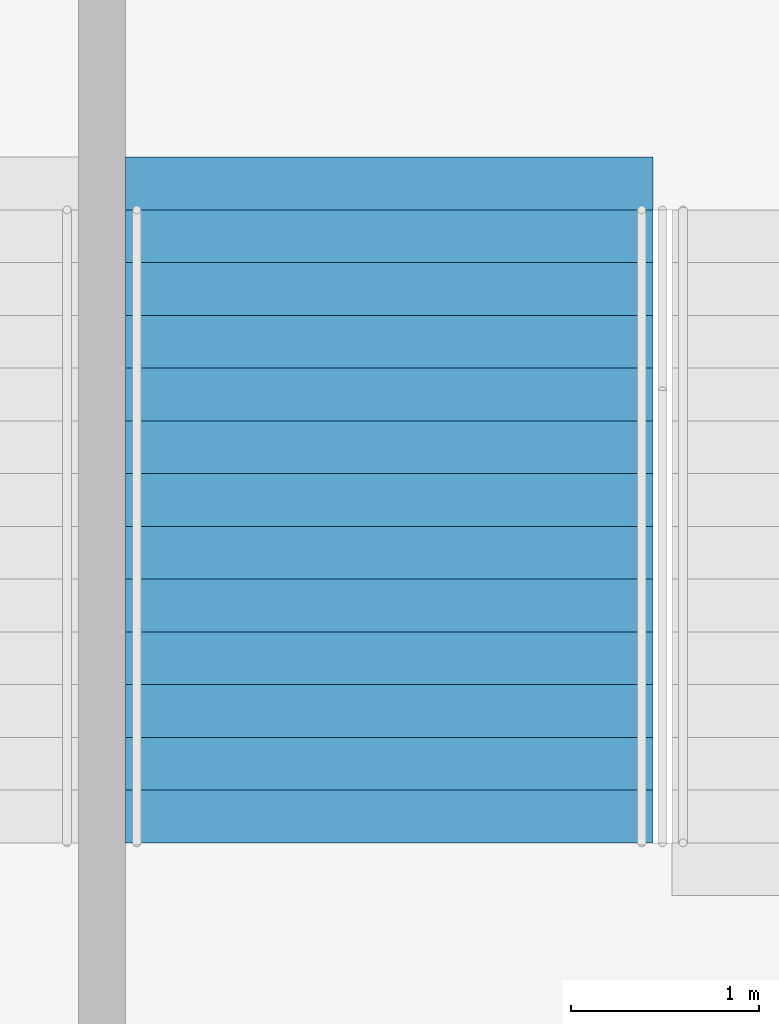
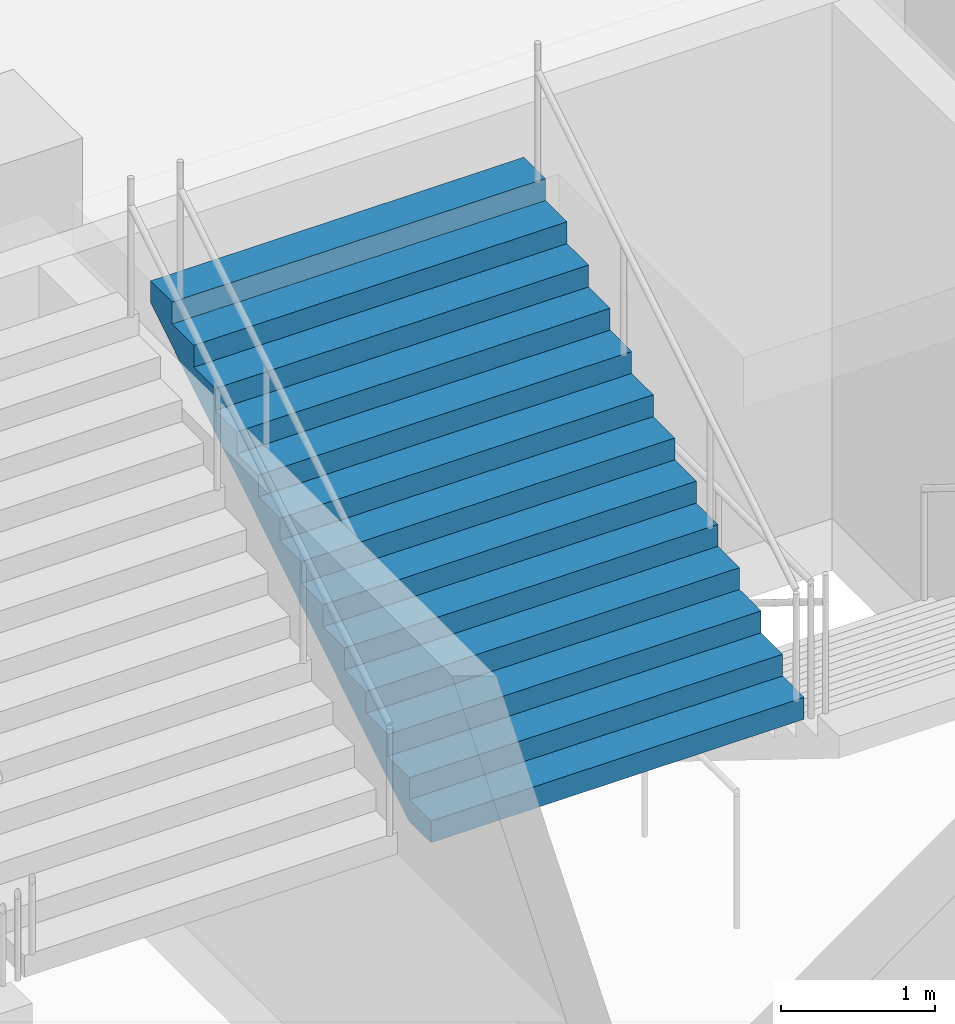
# One storey, part 70 of 175: 1 stair flight, 1 element without a shape of its own.
"""IFC4 building model written with IfcOpenShell, lengths in metres."""

from ifc_helpers import new_model, si_unit, direction, frame, origin, place, context, subcontext, project, spatial, faceted_brep, material, type_object, element, aggregate, save


model = new_model("IFC4")

# Units and contexts
model_context = context("Model", 3, precision=1e-05, world=origin(), true_north=direction((0.0, 1.0)))
body_context = subcontext(model_context, "Body", "Model", "MODEL_VIEW")
ifc_project = project(units=[si_unit("LENGTHUNIT", "METRE"), si_unit("AREAUNIT", "SQUARE_METRE"), si_unit("VOLUMEUNIT", "CUBIC_METRE"), si_unit("PLANEANGLEUNIT", "RADIAN"), si_unit("MASSUNIT", "GRAM", prefix="KILO")], contexts=[model_context])

# Site, building, storey
site_placement = place(None, origin())
site = spatial("IfcSite", under=ifc_project, at=site_placement, CompositionType="ELEMENT")
building_placement = place(site_placement, origin())
building = spatial("IfcBuilding", under=site, at=building_placement, Name="Ogive Plaza Stadium", CompositionType="ELEMENT")
storey_placement = place(building_placement, origin())
storey = spatial("IfcBuildingStorey", under=building, at=storey_placement, Name="L00", CompositionType="ELEMENT", Elevation=0.0)

# Stair, stair flight
ifc_material_1 = material(Name="Concrete C40/50", Category="concrete")
stair_type = type_object("IfcStairType", Name="Exit stair", PredefinedType="STRAIGHT_RUN_STAIR", material=ifc_material_1)
stair_placement = place(storey_placement, origin())
stair = element("IfcStair", 1, at=stair_placement, inside=storey, type_object=stair_type, Name="Exit stair ST12B L00 to L01", PredefinedType="STRAIGHT_RUN_STAIR")
ifc_material_2 = material(Name="Concrete C40/50", Category="concrete")
stair_flight_type = type_object("IfcStairFlightType", Name="Exit stair flight", PredefinedType="STRAIGHT", material=ifc_material_2)
stair_flight_placement = place(storey_placement, frame((35.52490234375, -98.2099609375, 2.25), z_axis=(0.0, 0.0, 1.0), x_axis=(0.0, 1.0, 0.0)))
stair_flight = element("IfcStairFlight", 2, at=stair_flight_placement, type_object=stair_flight_type, Name="ST12B flight 2", NumberOfRisers=13, NumberOfTreads=12, PredefinedType="STRAIGHT", RiserHeight=0.173076923, TreadLength=0.28, context=body_context, shape_type="Brep", body=[
    faceted_brep([(0.28515625, -1.39990234375, 0.0), (3.639892578125, -1.39990234375, 2.07373046875), (3.639892578125, -1.39990234375, 2.25), (3.360107421875, -1.39990234375, 2.25), (3.360107421875, -1.39990234375, 2.076904296875), (3.080078125, -1.39990234375, 2.076904296875), (3.080078125, -1.39990234375, 1.90380859375), (2.800048828125, -1.39990234375, 1.90380859375), (2.800048828125, -1.39990234375, 1.730712890625), (2.52001953125, -1.39990234375, 1.730712890625), (2.52001953125, -1.39990234375, 1.5576171875), (2.239990234375, -1.39990234375, 1.5576171875), (2.239990234375, -1.39990234375, 1.384521484375), (1.9599609375, -1.39990234375, 1.384521484375), (1.9599609375, -1.39990234375, 1.21142578125), (1.679931640625, -1.39990234375, 1.21142578125), (1.679931640625, -1.39990234375, 1.03857421875), (1.39990234375, -1.39990234375, 1.03857421875), (1.39990234375, -1.39990234375, 0.865478515625), (1.1201171875, -1.39990234375, 0.865478515625), (1.1201171875, -1.39990234375, 0.6923828125), (0.840087890625, -1.39990234375, 0.6923828125), (0.840087890625, -1.39990234375, 0.519287109375), (0.56005859375, -1.39990234375, 0.519287109375), (0.56005859375, -1.39990234375, 0.34619140625), (0.280029296875, -1.39990234375, 0.34619140625), (0.280029296875, -1.39990234375, 0.173095703125), (0.0, -1.39990234375, 0.173095703125), (0.0, -1.39990234375, 0.0), (0.0, 1.39990234375, 0.0), (0.0, 1.39990234375, 0.173095703125), (0.280029296875, 1.39990234375, 0.173095703125), (0.280029296875, 1.39990234375, 0.34619140625), (0.56005859375, 1.39990234375, 0.34619140625), (0.56005859375, 1.39990234375, 0.519287109375), (0.840087890625, 1.39990234375, 0.519287109375), (0.840087890625, 1.39990234375, 0.6923828125), (1.1201171875, 1.39990234375, 0.6923828125), (1.1201171875, 1.39990234375, 0.865478515625), (1.39990234375, 1.39990234375, 0.865478515625), (1.39990234375, 1.39990234375, 1.03857421875), (1.679931640625, 1.39990234375, 1.03857421875), (1.679931640625, 1.39990234375, 1.21142578125), (1.9599609375, 1.39990234375, 1.21142578125), (1.9599609375, 1.39990234375, 1.384521484375), (2.239990234375, 1.39990234375, 1.384521484375), (2.239990234375, 1.39990234375, 1.5576171875), (2.52001953125, 1.39990234375, 1.5576171875), (2.52001953125, 1.39990234375, 1.730712890625), (2.800048828125, 1.39990234375, 1.730712890625), (2.800048828125, 1.39990234375, 1.90380859375), (3.080078125, 1.39990234375, 1.90380859375), (3.080078125, 1.39990234375, 2.076904296875), (3.360107421875, 1.39990234375, 2.076904296875), (3.360107421875, 1.39990234375, 2.25), (3.639892578125, 1.39990234375, 2.25), (3.639892578125, 1.39990234375, 2.07373046875), (0.28515625, 1.39990234375, 0.0), (0.28515625, -1.0888671875, 0.0), (3.639892578125, -1.0888671875, 2.07373046875), (0.28515625, -0.77783203125, 0.0), (3.639892578125, -0.77783203125, 2.07373046875), (0.28515625, -0.466796875, 0.0), (3.639892578125, -0.466796875, 2.07373046875), (0.28515625, -0.155517578125, 0.0), (3.639892578125, -0.155517578125, 2.07373046875), (0.28515625, 0.155517578125, 0.0), (3.639892578125, 0.155517578125, 2.07373046875), (0.28515625, 0.466796875, 0.0), (3.639892578125, 0.466796875, 2.07373046875), (0.28515625, 0.77783203125, 0.0), (3.639892578125, 0.77783203125, 2.07373046875), (0.28515625, 1.0888671875, 0.0), (3.639892578125, 1.0888671875, 2.07373046875), (3.639892578125, -1.0888671875, 2.25), (3.639892578125, -0.77783203125, 2.25), (3.639892578125, -0.466796875, 2.25), (3.639892578125, -0.155517578125, 2.25), (3.639892578125, 0.155517578125, 2.25), (3.639892578125, 0.466796875, 2.25), (3.639892578125, 0.77783203125, 2.25), (3.639892578125, 1.0888671875, 2.25), (3.360107421875, -1.0888671875, 2.25), (3.360107421875, -0.77783203125, 2.25), (3.360107421875, -0.466796875, 2.25), (3.360107421875, -0.155517578125, 2.25), (3.360107421875, 0.155517578125, 2.25), (3.360107421875, 0.466796875, 2.25), (3.360107421875, 0.77783203125, 2.25), (3.360107421875, 1.0888671875, 2.25), (3.360107421875, -1.0888671875, 2.076904296875), (3.360107421875, -0.77783203125, 2.076904296875), (3.360107421875, -0.466796875, 2.076904296875), (3.360107421875, -0.155517578125, 2.076904296875), (3.360107421875, 0.155517578125, 2.076904296875), (3.360107421875, 0.466796875, 2.076904296875), (3.360107421875, 0.77783203125, 2.076904296875), (3.360107421875, 1.0888671875, 2.076904296875), (3.080078125, -1.0888671875, 2.076904296875), (3.080078125, -0.77783203125, 2.076904296875), (3.080078125, -0.466796875, 2.076904296875), (3.080078125, -0.155517578125, 2.076904296875), (3.080078125, 0.155517578125, 2.076904296875), (3.080078125, 0.466796875, 2.076904296875), (3.080078125, 0.77783203125, 2.076904296875), (3.080078125, 1.0888671875, 2.076904296875), (3.080078125, -1.0888671875, 1.90380859375), (3.080078125, -0.77783203125, 1.90380859375), (3.080078125, -0.466796875, 1.90380859375), (3.080078125, -0.155517578125, 1.90380859375), (3.080078125, 0.155517578125, 1.90380859375), (3.080078125, 0.466796875, 1.90380859375), (3.080078125, 0.77783203125, 1.90380859375), (3.080078125, 1.0888671875, 1.90380859375), (2.800048828125, -1.0888671875, 1.90380859375), (2.800048828125, -0.77783203125, 1.90380859375), (2.800048828125, -0.466796875, 1.90380859375), (2.800048828125, -0.155517578125, 1.90380859375), (2.800048828125, 0.155517578125, 1.90380859375), (2.800048828125, 0.466796875, 1.90380859375), (2.800048828125, 0.77783203125, 1.90380859375), (2.800048828125, 1.0888671875, 1.90380859375), (2.800048828125, -1.0888671875, 1.730712890625), (2.800048828125, -0.77783203125, 1.730712890625), (2.800048828125, -0.466796875, 1.730712890625), (2.800048828125, -0.155517578125, 1.730712890625), (2.800048828125, 0.155517578125, 1.730712890625), (2.800048828125, 0.466796875, 1.730712890625), (2.800048828125, 0.77783203125, 1.730712890625), (2.800048828125, 1.0888671875, 1.730712890625), (2.52001953125, -1.0888671875, 1.730712890625), (2.52001953125, -0.77783203125, 1.730712890625), (2.52001953125, -0.466796875, 1.730712890625), (2.52001953125, -0.155517578125, 1.730712890625), (2.52001953125, 0.155517578125, 1.730712890625), (2.52001953125, 0.466796875, 1.730712890625), (2.52001953125, 0.77783203125, 1.730712890625), (2.52001953125, 1.0888671875, 1.730712890625), (2.52001953125, -1.0888671875, 1.5576171875), (2.52001953125, -0.77783203125, 1.5576171875), (2.52001953125, -0.466796875, 1.5576171875), (2.52001953125, -0.155517578125, 1.5576171875), (2.52001953125, 0.155517578125, 1.5576171875), (2.52001953125, 0.466796875, 1.5576171875), (2.52001953125, 0.77783203125, 1.5576171875), (2.52001953125, 1.0888671875, 1.5576171875), (2.239990234375, -1.0888671875, 1.5576171875), (2.239990234375, -0.77783203125, 1.5576171875), (2.239990234375, -0.466796875, 1.5576171875), (2.239990234375, -0.155517578125, 1.5576171875), (2.239990234375, 0.155517578125, 1.5576171875), (2.239990234375, 0.466796875, 1.5576171875), (2.239990234375, 0.77783203125, 1.5576171875), (2.239990234375, 1.0888671875, 1.5576171875), (2.239990234375, -1.0888671875, 1.384521484375), (2.239990234375, -0.77783203125, 1.384521484375), (2.239990234375, -0.466796875, 1.384521484375), (2.239990234375, -0.155517578125, 1.384521484375), (2.239990234375, 0.155517578125, 1.384521484375), (2.239990234375, 0.466796875, 1.384521484375), (2.239990234375, 0.77783203125, 1.384521484375), (2.239990234375, 1.0888671875, 1.384521484375), (1.9599609375, -1.0888671875, 1.384521484375), (1.9599609375, -0.77783203125, 1.384521484375), (1.9599609375, -0.466796875, 1.384521484375), (1.9599609375, -0.155517578125, 1.384521484375), (1.9599609375, 0.155517578125, 1.384521484375), (1.9599609375, 0.466796875, 1.384521484375), (1.9599609375, 0.77783203125, 1.384521484375), (1.9599609375, 1.0888671875, 1.384521484375), (1.9599609375, -1.0888671875, 1.21142578125), (1.9599609375, -0.77783203125, 1.21142578125), (1.9599609375, -0.466796875, 1.21142578125), (1.9599609375, -0.155517578125, 1.21142578125), (1.9599609375, 0.155517578125, 1.21142578125), (1.9599609375, 0.466796875, 1.21142578125), (1.9599609375, 0.77783203125, 1.21142578125), (1.9599609375, 1.0888671875, 1.21142578125), (1.679931640625, -1.0888671875, 1.21142578125), (1.679931640625, -0.77783203125, 1.21142578125), (1.679931640625, -0.466796875, 1.21142578125), (1.679931640625, -0.155517578125, 1.21142578125), (1.679931640625, 0.155517578125, 1.21142578125), (1.679931640625, 0.466796875, 1.21142578125), (1.679931640625, 0.77783203125, 1.21142578125), (1.679931640625, 1.0888671875, 1.21142578125), (1.679931640625, -1.0888671875, 1.03857421875), (1.679931640625, -0.77783203125, 1.03857421875), (1.679931640625, -0.466796875, 1.03857421875), (1.679931640625, -0.155517578125, 1.03857421875), (1.679931640625, 0.155517578125, 1.03857421875), (1.679931640625, 0.466796875, 1.03857421875), (1.679931640625, 0.77783203125, 1.03857421875), (1.679931640625, 1.0888671875, 1.03857421875), (1.39990234375, -1.0888671875, 1.03857421875), (1.39990234375, -0.77783203125, 1.03857421875), (1.39990234375, -0.466796875, 1.03857421875), (1.39990234375, -0.155517578125, 1.03857421875), (1.39990234375, 0.155517578125, 1.03857421875), (1.39990234375, 0.466796875, 1.03857421875), (1.39990234375, 0.77783203125, 1.03857421875), (1.39990234375, 1.0888671875, 1.03857421875), (1.39990234375, -1.0888671875, 0.865478515625), (1.39990234375, -0.77783203125, 0.865478515625), (1.39990234375, -0.466796875, 0.865478515625), (1.39990234375, -0.155517578125, 0.865478515625), (1.39990234375, 0.155517578125, 0.865478515625), (1.39990234375, 0.466796875, 0.865478515625), (1.39990234375, 0.77783203125, 0.865478515625), (1.39990234375, 1.0888671875, 0.865478515625), (1.1201171875, -1.0888671875, 0.865478515625), (1.1201171875, -0.77783203125, 0.865478515625), (1.1201171875, -0.466796875, 0.865478515625), (1.1201171875, -0.155517578125, 0.865478515625), (1.1201171875, 0.155517578125, 0.865478515625), (1.1201171875, 0.466796875, 0.865478515625), (1.1201171875, 0.77783203125, 0.865478515625), (1.1201171875, 1.0888671875, 0.865478515625), (1.1201171875, -1.0888671875, 0.6923828125), (1.1201171875, -0.77783203125, 0.6923828125), (1.1201171875, -0.466796875, 0.6923828125), (1.1201171875, -0.155517578125, 0.6923828125), (1.1201171875, 0.155517578125, 0.6923828125), (1.1201171875, 0.466796875, 0.6923828125), (1.1201171875, 0.77783203125, 0.6923828125), (1.1201171875, 1.0888671875, 0.6923828125), (0.840087890625, -1.0888671875, 0.6923828125), (0.840087890625, -0.77783203125, 0.6923828125), (0.840087890625, -0.466796875, 0.6923828125), (0.840087890625, -0.155517578125, 0.6923828125), (0.840087890625, 0.155517578125, 0.6923828125), (0.840087890625, 0.466796875, 0.6923828125), (0.840087890625, 0.77783203125, 0.6923828125), (0.840087890625, 1.0888671875, 0.6923828125), (0.840087890625, -1.0888671875, 0.519287109375), (0.840087890625, -0.77783203125, 0.519287109375), (0.840087890625, -0.466796875, 0.519287109375), (0.840087890625, -0.155517578125, 0.519287109375), (0.840087890625, 0.155517578125, 0.519287109375), (0.840087890625, 0.466796875, 0.519287109375), (0.840087890625, 0.77783203125, 0.519287109375), (0.840087890625, 1.0888671875, 0.519287109375), (0.56005859375, -1.0888671875, 0.519287109375), (0.56005859375, -0.77783203125, 0.519287109375), (0.56005859375, -0.466796875, 0.519287109375), (0.56005859375, -0.155517578125, 0.519287109375), (0.56005859375, 0.155517578125, 0.519287109375), (0.56005859375, 0.466796875, 0.519287109375), (0.56005859375, 0.77783203125, 0.519287109375), (0.56005859375, 1.0888671875, 0.519287109375), (0.56005859375, -1.0888671875, 0.34619140625), (0.56005859375, -0.77783203125, 0.34619140625), (0.56005859375, -0.466796875, 0.34619140625), (0.56005859375, -0.155517578125, 0.34619140625), (0.56005859375, 0.155517578125, 0.34619140625), (0.56005859375, 0.466796875, 0.34619140625), (0.56005859375, 0.77783203125, 0.34619140625), (0.56005859375, 1.0888671875, 0.34619140625), (0.280029296875, -1.0888671875, 0.34619140625), (0.280029296875, -0.77783203125, 0.34619140625), (0.280029296875, -0.466796875, 0.34619140625), (0.280029296875, -0.155517578125, 0.34619140625), (0.280029296875, 0.155517578125, 0.34619140625), (0.280029296875, 0.466796875, 0.34619140625), (0.280029296875, 0.77783203125, 0.34619140625), (0.280029296875, 1.0888671875, 0.34619140625), (0.280029296875, -1.0888671875, 0.173095703125), (0.280029296875, -0.77783203125, 0.173095703125), (0.280029296875, -0.466796875, 0.173095703125), (0.280029296875, -0.155517578125, 0.173095703125), (0.280029296875, 0.155517578125, 0.173095703125), (0.280029296875, 0.466796875, 0.173095703125), (0.280029296875, 0.77783203125, 0.173095703125), (0.280029296875, 1.0888671875, 0.173095703125), (0.0, -1.0888671875, 0.173095703125), (0.0, -0.77783203125, 0.173095703125), (0.0, -0.466796875, 0.173095703125), (0.0, -0.155517578125, 0.173095703125), (0.0, 0.155517578125, 0.173095703125), (0.0, 0.466796875, 0.173095703125), (0.0, 0.77783203125, 0.173095703125), (0.0, 1.0888671875, 0.173095703125), (0.0, -1.0888671875, 0.0), (0.0, -0.77783203125, 0.0), (0.0, -0.466796875, 0.0), (0.0, -0.155517578125, 0.0), (0.0, 0.155517578125, 0.0), (0.0, 0.466796875, 0.0), (0.0, 0.77783203125, 0.0), (0.0, 1.0888671875, 0.0)], [[[0, 1, 2, 3, 4, 5, 6, 7, 8, 9, 10, 11, 12, 13, 14, 15, 16, 17, 18, 19, 20, 21, 22, 23, 24, 25, 26, 27, 28]], [[29, 30, 31, 32, 33, 34, 35, 36, 37, 38, 39, 40, 41, 42, 43, 44, 45, 46, 47, 48, 49, 50, 51, 52, 53, 54, 55, 56, 57]], [[0, 58, 59, 1]], [[58, 60, 61, 59]], [[60, 62, 63, 61]], [[62, 64, 65, 63]], [[64, 66, 67, 65]], [[66, 68, 69, 67]], [[68, 70, 71, 69]], [[70, 72, 73, 71]], [[72, 57, 56, 73]], [[1, 59, 74, 2]], [[59, 61, 75, 74]], [[61, 63, 76, 75]], [[63, 65, 77, 76]], [[65, 67, 78, 77]], [[67, 69, 79, 78]], [[69, 71, 80, 79]], [[71, 73, 81, 80]], [[73, 56, 55, 81]], [[2, 74, 82, 3]], [[74, 75, 83, 82]], [[75, 76, 84, 83]], [[76, 77, 85, 84]], [[77, 78, 86, 85]], [[78, 79, 87, 86]], [[79, 80, 88, 87]], [[80, 81, 89, 88]], [[81, 55, 54, 89]], [[3, 82, 90, 4]], [[82, 83, 91, 90]], [[83, 84, 92, 91]], [[84, 85, 93, 92]], [[85, 86, 94, 93]], [[86, 87, 95, 94]], [[87, 88, 96, 95]], [[88, 89, 97, 96]], [[89, 54, 53, 97]], [[4, 90, 98, 5]], [[90, 91, 99, 98]], [[91, 92, 100, 99]], [[92, 93, 101, 100]], [[93, 94, 102, 101]], [[94, 95, 103, 102]], [[95, 96, 104, 103]], [[96, 97, 105, 104]], [[97, 53, 52, 105]], [[5, 98, 106, 6]], [[98, 99, 107, 106]], [[99, 100, 108, 107]], [[100, 101, 109, 108]], [[101, 102, 110, 109]], [[102, 103, 111, 110]], [[103, 104, 112, 111]], [[104, 105, 113, 112]], [[105, 52, 51, 113]], [[6, 106, 114, 7]], [[106, 107, 115, 114]], [[107, 108, 116, 115]], [[108, 109, 117, 116]], [[109, 110, 118, 117]], [[110, 111, 119, 118]], [[111, 112, 120, 119]], [[112, 113, 121, 120]], [[113, 51, 50, 121]], [[7, 114, 122, 8]], [[114, 115, 123, 122]], [[115, 116, 124, 123]], [[116, 117, 125, 124]], [[117, 118, 126, 125]], [[118, 119, 127, 126]], [[119, 120, 128, 127]], [[120, 121, 129, 128]], [[121, 50, 49, 129]], [[8, 122, 130, 9]], [[122, 123, 131, 130]], [[123, 124, 132, 131]], [[124, 125, 133, 132]], [[125, 126, 134, 133]], [[126, 127, 135, 134]], [[127, 128, 136, 135]], [[128, 129, 137, 136]], [[129, 49, 48, 137]], [[9, 130, 138, 10]], [[130, 131, 139, 138]], [[131, 132, 140, 139]], [[132, 133, 141, 140]], [[133, 134, 142, 141]], [[134, 135, 143, 142]], [[135, 136, 144, 143]], [[136, 137, 145, 144]], [[137, 48, 47, 145]], [[10, 138, 146, 11]], [[138, 139, 147, 146]], [[139, 140, 148, 147]], [[140, 141, 149, 148]], [[141, 142, 150, 149]], [[142, 143, 151, 150]], [[143, 144, 152, 151]], [[144, 145, 153, 152]], [[145, 47, 46, 153]], [[11, 146, 154, 12]], [[146, 147, 155, 154]], [[147, 148, 156, 155]], [[148, 149, 157, 156]], [[149, 150, 158, 157]], [[150, 151, 159, 158]], [[151, 152, 160, 159]], [[152, 153, 161, 160]], [[153, 46, 45, 161]], [[12, 154, 162, 13]], [[154, 155, 163, 162]], [[155, 156, 164, 163]], [[156, 157, 165, 164]], [[157, 158, 166, 165]], [[158, 159, 167, 166]], [[159, 160, 168, 167]], [[160, 161, 169, 168]], [[161, 45, 44, 169]], [[13, 162, 170, 14]], [[162, 163, 171, 170]], [[163, 164, 172, 171]], [[164, 165, 173, 172]], [[165, 166, 174, 173]], [[166, 167, 175, 174]], [[167, 168, 176, 175]], [[168, 169, 177, 176]], [[169, 44, 43, 177]], [[14, 170, 178, 15]], [[170, 171, 179, 178]], [[171, 172, 180, 179]], [[172, 173, 181, 180]], [[173, 174, 182, 181]], [[174, 175, 183, 182]], [[175, 176, 184, 183]], [[176, 177, 185, 184]], [[177, 43, 42, 185]], [[15, 178, 186, 16]], [[178, 179, 187, 186]], [[179, 180, 188, 187]], [[180, 181, 189, 188]], [[181, 182, 190, 189]], [[182, 183, 191, 190]], [[183, 184, 192, 191]], [[184, 185, 193, 192]], [[185, 42, 41, 193]], [[16, 186, 194, 17]], [[186, 187, 195, 194]], [[187, 188, 196, 195]], [[188, 189, 197, 196]], [[189, 190, 198, 197]], [[190, 191, 199, 198]], [[191, 192, 200, 199]], [[192, 193, 201, 200]], [[193, 41, 40, 201]], [[17, 194, 202, 18]], [[194, 195, 203, 202]], [[195, 196, 204, 203]], [[196, 197, 205, 204]], [[197, 198, 206, 205]], [[198, 199, 207, 206]], [[199, 200, 208, 207]], [[200, 201, 209, 208]], [[201, 40, 39, 209]], [[18, 202, 210, 19]], [[202, 203, 211, 210]], [[203, 204, 212, 211]], [[204, 205, 213, 212]], [[205, 206, 214, 213]], [[206, 207, 215, 214]], [[207, 208, 216, 215]], [[208, 209, 217, 216]], [[209, 39, 38, 217]], [[19, 210, 218, 20]], [[210, 211, 219, 218]], [[211, 212, 220, 219]], [[212, 213, 221, 220]], [[213, 214, 222, 221]], [[214, 215, 223, 222]], [[215, 216, 224, 223]], [[216, 217, 225, 224]], [[217, 38, 37, 225]], [[20, 218, 226, 21]], [[218, 219, 227, 226]], [[219, 220, 228, 227]], [[220, 221, 229, 228]], [[221, 222, 230, 229]], [[222, 223, 231, 230]], [[223, 224, 232, 231]], [[224, 225, 233, 232]], [[225, 37, 36, 233]], [[21, 226, 234, 22]], [[226, 227, 235, 234]], [[227, 228, 236, 235]], [[228, 229, 237, 236]], [[229, 230, 238, 237]], [[230, 231, 239, 238]], [[231, 232, 240, 239]], [[232, 233, 241, 240]], [[233, 36, 35, 241]], [[22, 234, 242, 23]], [[234, 235, 243, 242]], [[235, 236, 244, 243]], [[236, 237, 245, 244]], [[237, 238, 246, 245]], [[238, 239, 247, 246]], [[239, 240, 248, 247]], [[240, 241, 249, 248]], [[241, 35, 34, 249]], [[23, 242, 250, 24]], [[242, 243, 251, 250]], [[243, 244, 252, 251]], [[244, 245, 253, 252]], [[245, 246, 254, 253]], [[246, 247, 255, 254]], [[247, 248, 256, 255]], [[248, 249, 257, 256]], [[249, 34, 33, 257]], [[24, 250, 258, 25]], [[250, 251, 259, 258]], [[251, 252, 260, 259]], [[252, 253, 261, 260]], [[253, 254, 262, 261]], [[254, 255, 263, 262]], [[255, 256, 264, 263]], [[256, 257, 265, 264]], [[257, 33, 32, 265]], [[25, 258, 266, 26]], [[258, 259, 267, 266]], [[259, 260, 268, 267]], [[260, 261, 269, 268]], [[261, 262, 270, 269]], [[262, 263, 271, 270]], [[263, 264, 272, 271]], [[264, 265, 273, 272]], [[265, 32, 31, 273]], [[26, 266, 274, 27]], [[266, 267, 275, 274]], [[267, 268, 276, 275]], [[268, 269, 277, 276]], [[269, 270, 278, 277]], [[270, 271, 279, 278]], [[271, 272, 280, 279]], [[272, 273, 281, 280]], [[273, 31, 30, 281]], [[27, 274, 282, 28]], [[274, 275, 283, 282]], [[275, 276, 284, 283]], [[276, 277, 285, 284]], [[277, 278, 286, 285]], [[278, 279, 287, 286]], [[279, 280, 288, 287]], [[280, 281, 289, 288]], [[281, 30, 29, 289]], [[28, 282, 58, 0]], [[282, 283, 60, 58]], [[283, 284, 62, 60]], [[284, 285, 64, 62]], [[285, 286, 66, 64]], [[286, 287, 68, 66]], [[287, 288, 70, 68]], [[288, 289, 72, 70]], [[289, 29, 57, 72]]]),
])
aggregate(stair, [stair_flight])

save(model, "model.ifc")
